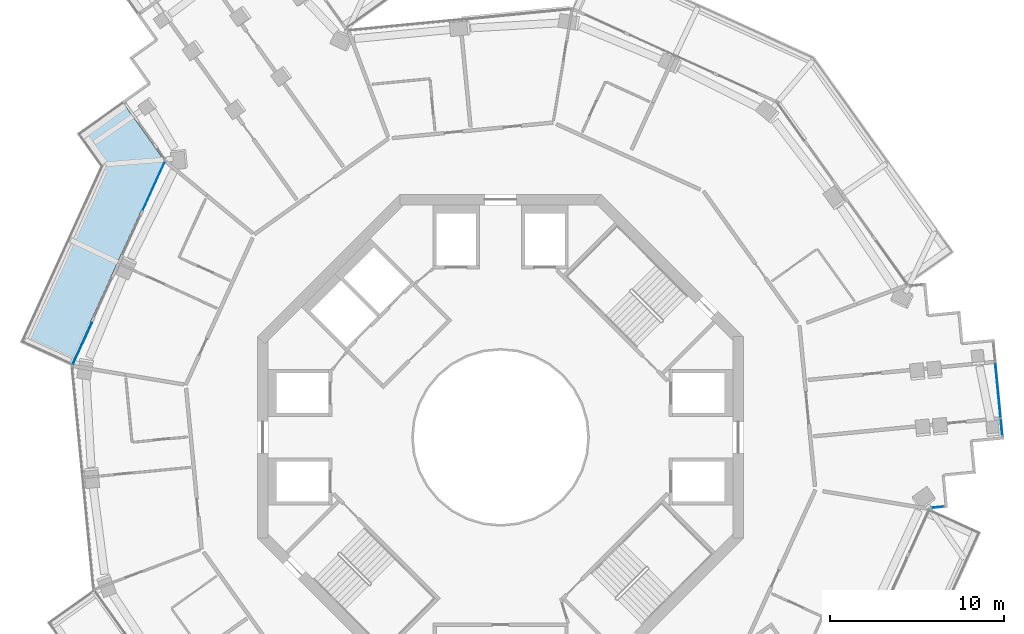
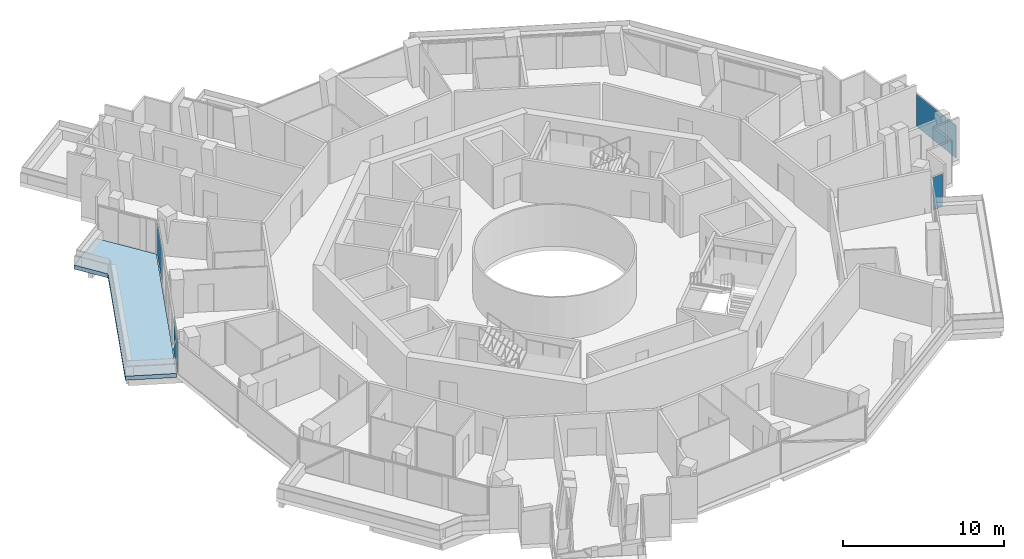
# One storey, part 12 of 22: 6 plates, 1 slab, 3 elements without a shape of their own.
"""IFC4 building model written with IfcOpenShell, lengths in metres."""

from ifc_helpers import new_model, si_unit, direction, frame, origin, origin_2d, place, context, subcontext, project, spatial, polyline, rectangle, outline, extrude, material, layer, layer_set, type_object, element, aggregate, save


model = new_model("IFC4")

# Units and contexts
model_context = context("Model", 3, precision=1e-05, world=origin(), true_north=direction((0.0, 1.0)))
body_context = subcontext(model_context, "Body", "Model", "MODEL_VIEW")
ifc_project = project(units=[si_unit("LENGTHUNIT", "METRE"), si_unit("AREAUNIT", "SQUARE_METRE"), si_unit("VOLUMEUNIT", "CUBIC_METRE"), si_unit("PLANEANGLEUNIT", "RADIAN"), si_unit("MASSUNIT", "GRAM", prefix="KILO")], contexts=[model_context])

# Site, building, storey
site_placement = place(None, origin())
site = spatial("IfcSite", under=ifc_project, at=site_placement, CompositionType="ELEMENT")
building_placement = place(site_placement, origin())
building = spatial("IfcBuilding", under=site, at=building_placement, Name="Verdalira Terraces Hotel", CompositionType="ELEMENT")
storey_placement = place(building_placement, frame((0.0, 0.0, 180.0)))
storey = spatial("IfcBuildingStorey", under=building, at=storey_placement, Name="L43", CompositionType="ELEMENT", Elevation=180.0)

# Slab
ifc_material_1 = material(Name="Precast concrete C40/50", Category="concrete")
ifc_layer_1 = layer(ifc_material_1, 0.31005859375)
ifc_layer_set_1 = layer_set([ifc_layer_1], Name="Balcony deck 310")
slab_type = type_object("IfcSlabType", Name="Balcony deck 310", PredefinedType="FLOOR", material=ifc_layer_set_1)
slab_placement = place(storey_placement, frame((0.0, 0.0, -0.310059)))
element("IfcSlab", 1, at=slab_placement, inside=storey, type_object=slab_type, Name="Balcony deck", PredefinedType="FLOOR", context=body_context, shape_type="SweptSolid", body=[
    extrude(outline(polyline([(-23.062012, 15.612305), (-27.68335, 5.462402), (-24.770996, 4.136475), (-19.384277, 15.967773), (-21.804443, 19.358398), (-24.408936, 17.499268), (-23.062012, 15.612305)])), origin(), (0.0, 0.0, 1.0), 0.310059),
])

# Curtain wall, plates
ifc_material_2 = material(Name="Clear glass", Category="glass")
ifc_layer_2 = layer(ifc_material_2, 0.14990234375)
ifc_layer_set_2 = layer_set([ifc_layer_2], Name="CW1 curtain wall")
curtain_wall_type_1 = type_object("IfcCurtainWallType", Name="CW1 curtain wall", PredefinedType="NOTDEFINED", material=ifc_layer_set_2)
curtain_wall_1_placement = place(storey_placement, origin())
curtain_wall_1 = element("IfcCurtainWall", 2, at=curtain_wall_1_placement, inside=storey, type_object=curtain_wall_type_1, Name="CW1 curtain wall L43 edge 11", PredefinedType="NOTDEFINED")
ifc_material_3 = material(Name="Clear glass", Category="glass")
ifc_layer_3 = layer(ifc_material_3, 0.028076171875)
ifc_layer_set_3 = layer_set([ifc_layer_3], Name="CW1 glass unit 28")
plate_type_1 = type_object("IfcPlateType", Name="CW1 glass unit 28", PredefinedType="CURTAIN_PANEL", material=ifc_layer_set_3)
plate_1_placement = place(storey_placement, frame((-19.970703, 14.498779, 0.0), z_axis=(0.0, 0.0, 1.0), x_axis=(-0.414375581, -0.910105971, 0.0)))
plate_1 = element("IfcPlate", 3, at=plate_1_placement, type_object=plate_type_1, Name="CW1 glass unit", PredefinedType="CURTAIN_PANEL", context=body_context, shape_type="SweptSolid", body=[
    extrude(rectangle(XDim=3.040039, YDim=0.028076, at=origin_2d()), origin(), (0.0, 0.0, 1.0), 2.475098),
])
plate_2_placement = place(storey_placement, frame((-24.102051, 5.391357, 1.237549), z_axis=(-0.910105971, 0.414375581, 0.0), x_axis=(-0.414375581, -0.910105971, 0.0)))
plate_2 = element("IfcPlate", 4, at=plate_2_placement, type_object=plate_type_1, Name="CW1 glass unit", PredefinedType="CURTAIN_PANEL", context=body_context, shape_type="SweptSolid", body=[
    extrude(outline(polyline([(-1.319336, -1.237549), (1.319336, -1.237549), (1.319336, 1.237549), (-1.319336, -1.237549)])), origin(), (0.0, 0.0, 1.0), 0.028076),
])
plate_3_placement = place(storey_placement, frame((-24.075439, 5.379395, 1.237549), z_axis=(-0.910105971, 0.414375581, 0.0), x_axis=(-0.414375581, -0.910105971, 0.0)))
plate_3 = element("IfcPlate", 5, at=plate_3_placement, type_object=plate_type_1, Name="CW1 glass unit", PredefinedType="CURTAIN_PANEL", context=body_context, shape_type="SweptSolid", body=[
    extrude(outline(polyline([(-1.319336, -1.237549), (1.319336, 1.237549), (-1.319336, 1.237549), (-1.319336, -1.237549)])), origin(), (0.0, 0.0, 1.0), 0.028076),
])
aggregate(curtain_wall_1, [plate_1, plate_2, plate_3])

# Curtain wall, plate
ifc_material_4 = material(Name="Clear glass", Category="glass")
ifc_layer_4 = layer(ifc_material_4, 0.14990234375)
ifc_layer_set_4 = layer_set([ifc_layer_4], Name="CW2 curtain wall")
curtain_wall_type_2 = type_object("IfcCurtainWallType", Name="CW2 curtain wall", PredefinedType="NOTDEFINED", material=ifc_layer_set_4)
curtain_wall_2_placement = place(storey_placement, origin())
curtain_wall_2 = element("IfcCurtainWall", 6, at=curtain_wall_2_placement, inside=storey, type_object=curtain_wall_type_2, Name="CW2 curtain wall L43 edge 28", PredefinedType="NOTDEFINED")
ifc_material_5 = material(Name="Clear glass", Category="glass")
ifc_layer_5 = layer(ifc_material_5, 0.031982421875)
ifc_layer_set_5 = layer_set([ifc_layer_5], Name="CW2 glass unit 32")
plate_type_2 = type_object("IfcPlateType", Name="CW2 glass unit 32", PredefinedType="CURTAIN_PANEL", material=ifc_layer_set_5)
plate_4_placement = place(storey_placement, frame((25.187012, -4.020752, 0.0), z_axis=(0.0, 0.0, 1.0), x_axis=(0.995362681, 0.096193205, 0.0)))
plate_4 = element("IfcPlate", 7, at=plate_4_placement, type_object=plate_type_2, Name="CW2 glass unit", PredefinedType="CURTAIN_PANEL", context=body_context, shape_type="SweptSolid", body=[
    extrude(rectangle(XDim=0.709961, YDim=0.031982, at=origin_2d()), origin(), (0.0, 0.0, 1.0), 2.475098),
])
aggregate(curtain_wall_2, [plate_4])

# Curtain wall, plates
ifc_material_6 = material(Name="Clear glass", Category="glass")
ifc_layer_6 = layer(ifc_material_6, 0.14990234375)
ifc_layer_set_6 = layer_set([ifc_layer_6], Name="CW3 curtain wall")
curtain_wall_type_3 = type_object("IfcCurtainWallType", Name="CW3 curtain wall", PredefinedType="NOTDEFINED", material=ifc_layer_set_6)
curtain_wall_3_placement = place(storey_placement, origin())
curtain_wall_3 = element("IfcCurtainWall", 8, at=curtain_wall_3_placement, inside=storey, type_object=curtain_wall_type_3, Name="CW3 curtain wall L43 edge 33", PredefinedType="NOTDEFINED")
ifc_material_7 = material(Name="Clear glass", Category="glass")
ifc_layer_7 = layer(ifc_material_7, 0.035888671875)
ifc_layer_set_7 = layer_set([ifc_layer_7], Name="CW3 glass unit 36")
plate_type_3 = type_object("IfcPlateType", Name="CW3 glass unit 36", PredefinedType="CURTAIN_PANEL", material=ifc_layer_set_7)
plate_5_placement = place(storey_placement, frame((28.86084, 0.586182, 0.0), z_axis=(0.0, 0.0, 1.0), x_axis=(-0.096193205, 0.995362681, 0.0)))
plate_5 = element("IfcPlate", 9, at=plate_5_placement, type_object=plate_type_3, Name="CW3 glass unit", PredefinedType="CURTAIN_PANEL", context=body_context, shape_type="SweptSolid", body=[
    extrude(rectangle(XDim=0.954346, YDim=0.035889, at=origin_2d()), origin(), (0.0, 0.0, 1.0), 2.475098),
])
plate_6_placement = place(storey_placement, frame((28.654053, 2.725586, 0.0), z_axis=(0.0, 0.0, 1.0), x_axis=(-0.096193205, 0.995362681, 0.0)))
plate_6 = element("IfcPlate", 10, at=plate_6_placement, type_object=plate_type_3, Name="CW3 glass unit", PredefinedType="CURTAIN_PANEL", context=body_context, shape_type="SweptSolid", body=[
    extrude(rectangle(XDim=3.18457, YDim=0.035889, at=origin_2d()), origin(), (0.0, 0.0, 1.0), 2.475098),
])
aggregate(curtain_wall_3, [plate_5, plate_6])

save(model, "model.ifc")
